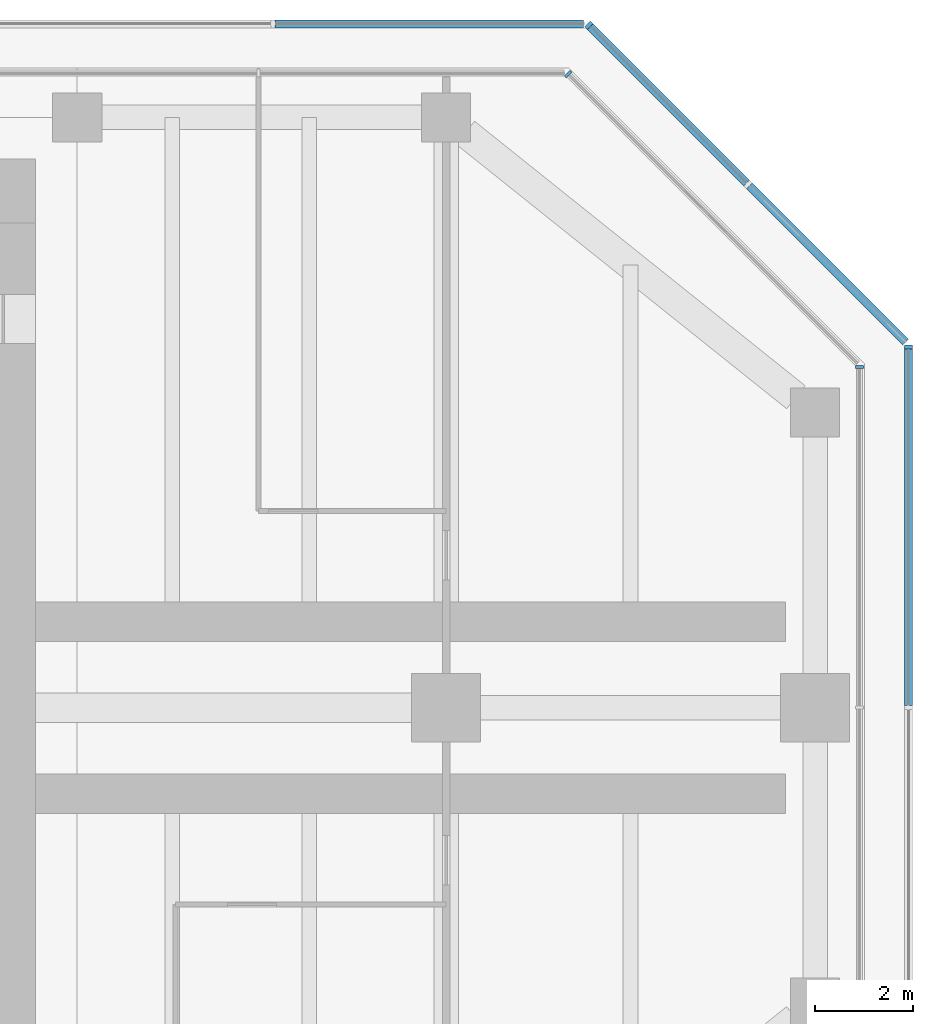
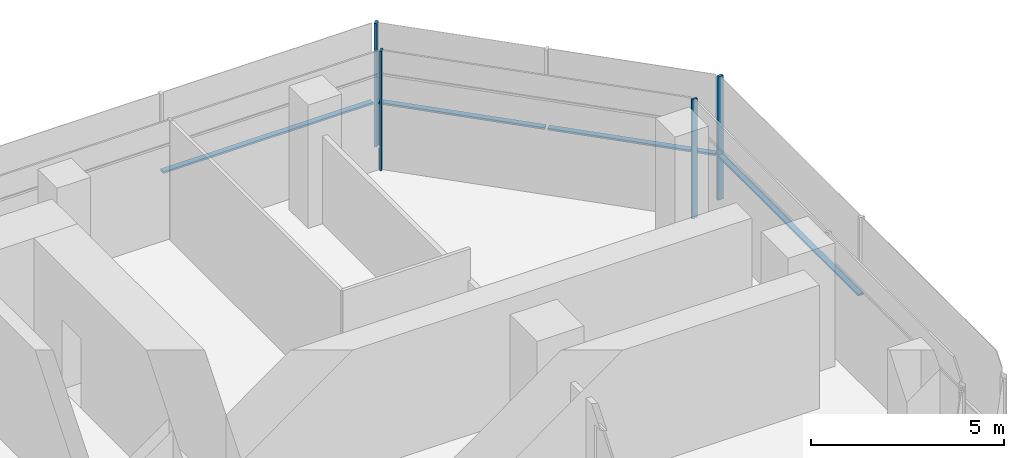
# One storey, part 8 of 15: 8 members, 5 elements without a shape of their own.
"""IFC4 building model written with IfcOpenShell, lengths in metres."""

from ifc_helpers import new_model, si_unit, direction, frame, origin, origin_2d, place, context, subcontext, project, spatial, rectangle, extrude, material, material_profile, profile_set, type_object, element, aggregate, save


model = new_model("IFC4")

# Units and contexts
model_context = context("Model", 3, precision=1e-05, world=origin(), true_north=direction((0.0, 1.0)))
body_context = subcontext(model_context, "Body", "Model", "MODEL_VIEW")
ifc_project = project(units=[si_unit("LENGTHUNIT", "METRE"), si_unit("AREAUNIT", "SQUARE_METRE"), si_unit("VOLUMEUNIT", "CUBIC_METRE"), si_unit("PLANEANGLEUNIT", "RADIAN"), si_unit("MASSUNIT", "GRAM", prefix="KILO")], contexts=[model_context])

# Site, building, storey
site_placement = place(None, origin())
site = spatial("IfcSite", under=ifc_project, at=site_placement, CompositionType="ELEMENT")
building_placement = place(site_placement, origin())
building = spatial("IfcBuilding", under=site, at=building_placement, Name="Mizan Broadcast Tower", CompositionType="ELEMENT")
storey_placement = place(building_placement, frame((0.0, 0.0, 271.199951171875)))
storey = spatial("IfcBuildingStorey", under=building, at=storey_placement, Name="L64", CompositionType="ELEMENT", Elevation=271.199951171875)

# Curtain wall, member
ifc_material_1 = material(Name="Aluminium framed glazing", Category="aluminium")
curtain_wall_type_1 = type_object("IfcCurtainWallType", Name="INNER SKIN TOP ZONE", PredefinedType="USERDEFINED", material=ifc_material_1)
curtain_wall_1_placement = place(storey_placement, origin())
curtain_wall_1 = element("IfcCurtainWall", 1, at=curtain_wall_1_placement, inside=storey, type_object=curtain_wall_type_1, Name="Inner skin top zone L64 E end", ObjectType="INNER SKIN TOP ZONE", PredefinedType="USERDEFINED")
ifc_material_2 = material(Name="Aluminium, pale anodised", Category="aluminium")
ifc_material_profile_1 = material_profile(ifc_material_2, rectangle(XDim=0.159912109375, YDim=0.06005859375, at=origin_2d()), Name="MULLION 160x60")
ifc_profile_set_1 = profile_set([ifc_material_profile_1], Name="Aluminium, pale anodised")
member_type_1 = type_object("IfcMemberType", Name="INNER SKIN MULLION 60x160", PredefinedType="MULLION", material=ifc_profile_set_1)
member_1_placement = place(storey_placement, frame((27.89990234375, 6.928466796875, 0.0), z_axis=(0.0, 0.0, 1.0), x_axis=(-1.0, 0.0, 0.0)))
member_1 = element("IfcMember", 2, at=member_1_placement, type_object=member_type_1, Name="Inner skin top zone L64 E end mullion 3", PredefinedType="MULLION", context=body_context, shape_type="SweptSolid", body=[
    extrude(rectangle(XDim=0.159912109375, YDim=0.06005859375, at=origin_2d()), origin(), (0.0, 0.0, 1.0), 3.77001953125),
])
aggregate(curtain_wall_1, [member_1])

curtain_wall_2_placement = place(storey_placement, origin())
curtain_wall_2 = element("IfcCurtainWall", 3, at=curtain_wall_2_placement, inside=storey, type_object=curtain_wall_type_1, Name="Inner skin top zone L64 E chamfer", ObjectType="INNER SKIN TOP ZONE", PredefinedType="USERDEFINED")
member_2_placement = place(storey_placement, frame((21.979736328125, 12.87890625, 0.0), z_axis=(0.0, 0.0, 1.0), x_axis=(-0.707106781187, -0.707106781187, 0.0)))
member_2 = element("IfcMember", 4, at=member_2_placement, type_object=member_type_1, Name="Inner skin top zone L64 E chamfer mullion 2", PredefinedType="MULLION", context=body_context, shape_type="SweptSolid", body=[
    extrude(rectangle(XDim=0.159912109375, YDim=0.06005859375, at=origin_2d()), origin(), (0.0, 0.0, 1.0), 3.77001953125),
])
aggregate(curtain_wall_2, [member_2])

ifc_material_3 = material(Name="Aluminium framed glazing", Category="aluminium")
curtain_wall_type_2 = type_object("IfcCurtainWallType", Name="OUTER SKIN", PredefinedType="USERDEFINED", material=ifc_material_3)
curtain_wall_3_placement = place(storey_placement, origin())
curtain_wall_3 = element("IfcCurtainWall", 5, at=curtain_wall_3_placement, inside=storey, type_object=curtain_wall_type_2, Name="Outer skin L64 E end", ObjectType="OUTER SKIN", PredefinedType="USERDEFINED")
ifc_material_4 = material(Name="Aluminium, pale anodised", Category="aluminium")
ifc_material_profile_2 = material_profile(ifc_material_4, rectangle(XDim=0.159912109375, YDim=0.080078125, at=origin_2d()), Name="MULLION 160x80")
ifc_profile_set_2 = profile_set([ifc_material_profile_2], Name="Aluminium, pale anodised")
member_type_2 = type_object("IfcMemberType", Name="OUTER SKIN MULLION 80x160", PredefinedType="MULLION", material=ifc_profile_set_2)
member_3_placement = place(storey_placement, frame((28.89990234375, 7.332763671875, 0.0), z_axis=(0.0, 0.0, 1.0), x_axis=(-1.0, 0.0, 0.0)))
member_3 = element("IfcMember", 6, at=member_3_placement, type_object=member_type_2, Name="Outer skin L64 E end mullion 3", PredefinedType="MULLION", context=body_context, shape_type="SweptSolid", body=[
    extrude(rectangle(XDim=0.159912109375, YDim=0.080078125, at=origin_2d()), origin(), (0.0, 0.0, 1.0), 3.900146484375),
])

curtain_wall_4_placement = place(storey_placement, origin())
curtain_wall_4 = element("IfcCurtainWall", 7, at=curtain_wall_4_placement, inside=storey, type_object=curtain_wall_type_2, Name="Outer skin L64 E chamfer", ObjectType="OUTER SKIN", PredefinedType="USERDEFINED")
member_4_placement = place(storey_placement, frame((22.401123046875, 13.871826171875, 0.0), z_axis=(0.0, 0.0, 1.0), x_axis=(-0.707106781187, -0.707106781187, 0.0)))
member_4 = element("IfcMember", 8, at=member_4_placement, type_object=member_type_2, Name="Outer skin L64 E chamfer mullion 3", PredefinedType="MULLION", context=body_context, shape_type="SweptSolid", body=[
    extrude(rectangle(XDim=0.159912109375, YDim=0.080078125, at=origin_2d()), origin(), (0.0, 0.0, 1.0), 3.900146484375),
])

# Member
ifc_material_5 = material(Name="Aluminium, pale anodised", Category="aluminium")
ifc_material_profile_3 = material_profile(ifc_material_5, rectangle(XDim=0.159912109375, YDim=0.06005859375, at=origin_2d()), Name="TRANSOM 160x60")
ifc_profile_set_3 = profile_set([ifc_material_profile_3], Name="Aluminium, pale anodised")
member_type_3 = type_object("IfcMemberType", Name="OUTER SKIN TRANSOM 60x160", PredefinedType="USERDEFINED", material=ifc_profile_set_3)
member_5_placement = place(storey_placement, frame((28.89990234375, 0.0400390625, 1.400146484375), z_axis=(0.0, 1.0, 0.0), x_axis=(-1.0, 0.0, 0.0)))
member_5 = element("IfcMember", 9, at=member_5_placement, type_object=member_type_3, Name="Outer skin L64 E end transom 2.1", ObjectType="TRANSOM", PredefinedType="USERDEFINED", context=body_context, shape_type="SweptSolid", body=[
    extrude(rectangle(XDim=0.159912109375, YDim=0.06005859375, at=origin_2d()), origin(), (0.0, 0.0, 1.0), 7.252685546875),
])

aggregate(curtain_wall_3, [member_3, member_5])

member_6_placement = place(storey_placement, frame((28.843505859375, 7.429443359375, 1.400146484375), z_axis=(-0.707106781187, 0.707106781187, 0.0), x_axis=(-0.707106781187, -0.707106781187, 0.0)))
member_6 = element("IfcMember", 10, at=member_6_placement, type_object=member_type_3, Name="Outer skin L64 E chamfer transom 1.1", ObjectType="TRANSOM", PredefinedType="USERDEFINED", context=body_context, shape_type="SweptSolid", body=[
    extrude(rectangle(XDim=0.159912109375, YDim=0.06005859375, at=origin_2d()), origin(), (0.0, 0.0, 1.0), 4.495361328125),
])

member_7_placement = place(storey_placement, frame((25.608154296875, 10.664794921875, 1.400146484375), z_axis=(-0.707106781187, 0.707106781187, 0.0), x_axis=(-0.707106781187, -0.707106781187, 0.0)))
member_7 = element("IfcMember", 11, at=member_7_placement, type_object=member_type_3, Name="Outer skin L64 E chamfer transom 2.1", ObjectType="TRANSOM", PredefinedType="USERDEFINED", context=body_context, shape_type="SweptSolid", body=[
    extrude(rectangle(XDim=0.159912109375, YDim=0.06005859375, at=origin_2d()), origin(), (0.0, 0.0, 1.0), 4.495361328125),
])

aggregate(curtain_wall_4, [member_4, member_6, member_7])

# Curtain wall, member
curtain_wall_5_placement = place(storey_placement, origin())
curtain_wall_5 = element("IfcCurtainWall", 12, at=curtain_wall_5_placement, inside=storey, type_object=curtain_wall_type_2, Name="Outer skin L64 N end", ObjectType="OUTER SKIN", PredefinedType="USERDEFINED")
member_8_placement = place(storey_placement, frame((22.292724609375, 13.89990234375, 1.400146484375), z_axis=(-1.0, 0.0, 0.0), x_axis=(0.0, -1.0, 0.0)))
member_8 = element("IfcMember", 13, at=member_8_placement, type_object=member_type_3, Name="Outer skin L64 N end transom 1.1", ObjectType="TRANSOM", PredefinedType="USERDEFINED", context=body_context, shape_type="SweptSolid", body=[
    extrude(rectangle(XDim=0.159912109375, YDim=0.06005859375, at=origin_2d()), origin(), (0.0, 0.0, 1.0), 6.272216796875),
])
aggregate(curtain_wall_5, [member_8])

save(model, "model.ifc")
